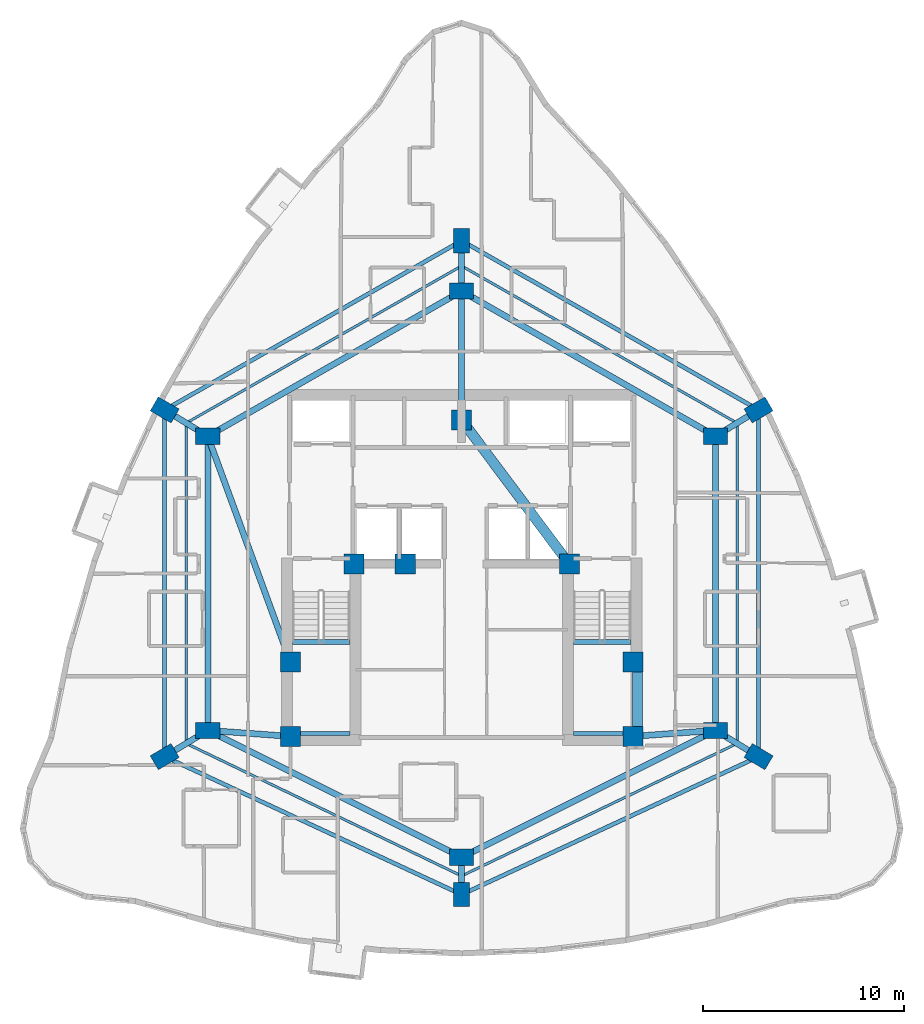
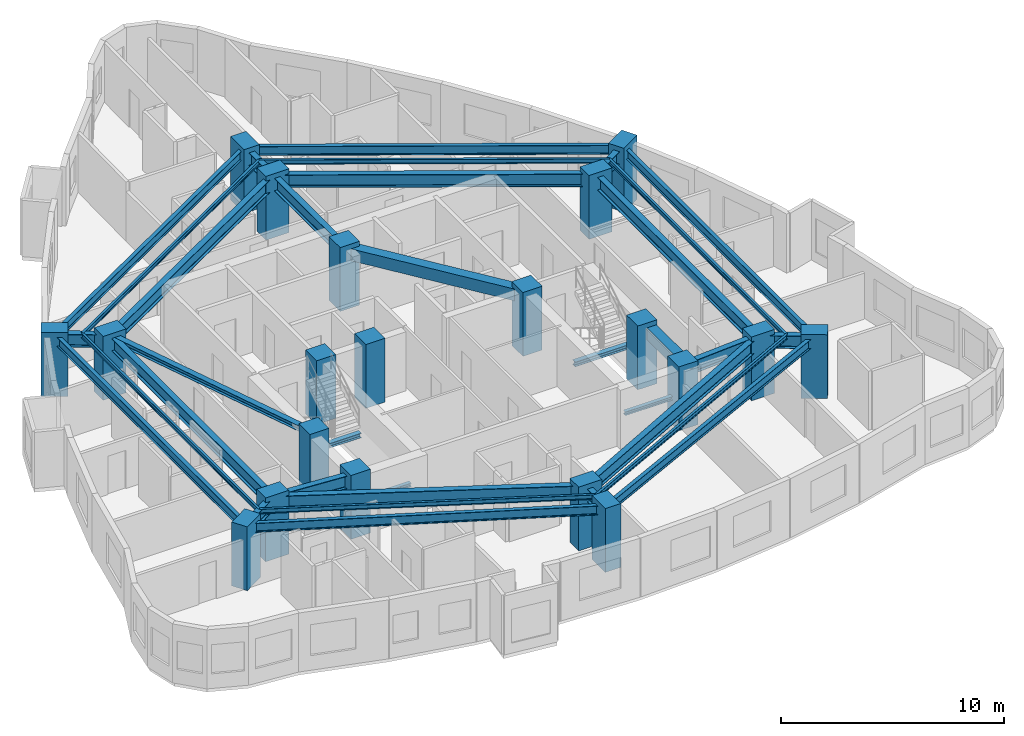
# One storey, part 1 of 14: 34 beams, 20 columns.
"""IFC4 building model written with IfcOpenShell, lengths in metres."""

from ifc_helpers import new_model, si_unit, direction, frame, origin, origin_2d, place, context, subcontext, project, spatial, rectangle, i_section, extrude, material, material_profile, profile_set, type_object, element, save


model = new_model("IFC4")

# Units and contexts
model_context = context("Model", 3, precision=1e-05, world=origin(), true_north=direction((0.0, 1.0)))
body_context = subcontext(model_context, "Body", "Model", "MODEL_VIEW")
ifc_project = project(units=[si_unit("LENGTHUNIT", "METRE"), si_unit("AREAUNIT", "SQUARE_METRE"), si_unit("VOLUMEUNIT", "CUBIC_METRE"), si_unit("PLANEANGLEUNIT", "RADIAN"), si_unit("MASSUNIT", "GRAM", prefix="KILO")], contexts=[model_context])

# Site, building, storey
site_placement = place(None, origin())
site = spatial("IfcSite", under=ifc_project, at=site_placement, CompositionType="ELEMENT")
building_placement = place(site_placement, origin())
building = spatial("IfcBuilding", under=site, at=building_placement, Name="Miruveldt Soraemaru", CompositionType="ELEMENT")
storey_placement = place(building_placement, frame((0.0, 0.0, 131.89990234375)))
storey = spatial("IfcBuildingStorey", under=building, at=storey_placement, Name="L36", CompositionType="ELEMENT", Elevation=131.89990234375)

# Columns
ifc_material_1 = material(Name="Concrete C60/75 (60 MPa)", Category="concrete")
ifc_material_profile_1 = material_profile(ifc_material_1, rectangle(XDim=1.0, YDim=1.0, at=origin_2d()), Name="Concrete C60/75 (60 MPa)", Category="concrete")
ifc_profile_set_1 = profile_set([ifc_material_profile_1], Name="Concrete C60/75 (60 MPa)")
column_type_1 = type_object("IfcColumnType", Name="COL-CORE-1000", PredefinedType="COLUMN", material=ifc_profile_set_1)
for number, where, z_axis, x_axis, name in (
    (1, (35.5, 35.5, 0.0), (0.0, 0.0, 1.0), (1.0, 0.0, 0.0), "L36 Structural Column CC1"),
    (2, (38.64990234375, 44.050048828125, 0.0), (0.0, 0.0, 1.0), (1.0, 0.0, 0.0), "L36 Structural Column CC2"),
    (3, (52.5, 35.5, 0.0), (0.0, 0.0, 1.0), (1.0, 0.0, 0.0), "L36 Structural Column CC3"),
    (4, (52.5, 39.199951171875, 0.0), (0.0, 0.0, 1.0), (1.0, 0.0, 0.0), "L36 Structural Column CC4"),
    (5, (49.35009765625, 44.050048828125, 0.0), (0.0, 0.0, 1.0), (1.0, 0.0, 0.0), "L36 Structural Column CC5"),
    (6, (44.0, 51.199951171875, 0.0), (0.0, 0.0, 1.0), (1.0, 0.0, 0.0), "L36 Structural Column CC6"),
    (7, (35.5, 39.199951171875, 0.0), (0.0, 0.0, 1.0), (1.0, 0.0, 0.0), "L36 Structural Column CC7"),
    (8, (41.199951171875, 44.050048828125, 0.0), (0.0, 0.0, 1.0), (1.0, 0.0, 0.0), "L36 Structural Column CC8"),
):
    element("IfcColumn", number, at=place(storey_placement, frame(where, z_axis=z_axis, x_axis=x_axis)), inside=storey, type_object=column_type_1, Name=name, PredefinedType="COLUMN", context=body_context, shape_type="SweptSolid", body=[
        extrude(rectangle(XDim=1.0, YDim=1.0, at=origin_2d()), origin(), (0.0, 0.0, 1.0), 3.5),
    ])
ifc_material_2 = material(Name="Concrete C70/85 (70 MPa)", Category="concrete")
ifc_material_profile_2 = material_profile(ifc_material_2, rectangle(XDim=1.199951171875, YDim=0.800048828125, at=origin_2d()), Name="Concrete C70/85 (70 MPa)", Category="concrete")
ifc_profile_set_2 = profile_set([ifc_material_profile_2], Name="Concrete C70/85 (70 MPa)")
column_type_2 = type_object("IfcColumnType", Name="COL-TW-Z2", PredefinedType="COLUMN", material=ifc_profile_set_2)
for number, where, z_axis, x_axis, name in (
    (9, (44.0, 57.60009765625, 0.0), (0.0, 0.0, 1.0), (1.0, 0.0, 0.0), "L36 Structural Column IR01"),
    (10, (56.60009765625, 50.39990234375, 0.0), (0.0, 0.0, 1.0), (1.0, 0.0, 0.0), "L36 Structural Column IR02"),
    (11, (56.60009765625, 35.800048828125, 0.0), (0.0, 0.0, 1.0), (1.0, 0.0, 0.0), "L36 Structural Column IR03"),
    (12, (44.0, 29.5, 0.0), (0.0, 0.0, 1.0), (1.0, 0.0, 0.0), "L36 Structural Column IR04"),
    (13, (31.39990234375, 35.800048828125, 0.0), (0.0, 0.0, 1.0), (1.0, 0.0, 0.0), "L36 Structural Column IR05"),
    (14, (31.39990234375, 50.39990234375, 0.0), (0.0, 0.0, 1.0), (1.0, 0.0, 0.0), "L36 Structural Column IR06"),
    (15, (44.0, 60.10595703125, 0.0), (0.0, 0.0, 1.0), (0.0, 1.0, 0.0), "L36 Structural Column Z2P01"),
    (16, (58.739990234375, 51.705078125, 0.0), (0.0, 0.0, 1.0), (0.866025403784, 0.5, 0.0), "L36 Structural Column Z2P02"),
    (17, (58.739990234375, 34.4951171875, 0.0), (0.0, 0.0, 1.0), (-0.860742027004, 0.50904141575, 0.0), "L36 Structural Column Z2P03"),
    (18, (44.0, 27.64697265625, 0.0), (0.0, 0.0, 1.0), (0.0, 1.0, 0.0), "L36 Structural Column Z2P04"),
    (19, (29.260009765625, 34.4951171875, 0.0), (0.0, 0.0, 1.0), (0.860742027004, 0.50904141575, 0.0), "L36 Structural Column Z2P05"),
    (20, (29.260009765625, 51.705078125, 0.0), (0.0, 0.0, 1.0), (-0.866025403784, 0.5, 0.0), "L36 Structural Column Z2P06"),
):
    element("IfcColumn", number, at=place(storey_placement, frame(where, z_axis=z_axis, x_axis=x_axis)), inside=storey, type_object=column_type_2, Name=name, PredefinedType="COLUMN", context=body_context, shape_type="SweptSolid", body=[
        extrude(rectangle(XDim=1.199951171875, YDim=0.800048828125, at=origin_2d()), origin(), (0.0, 0.0, 1.0), 3.5),
    ])

# Beams
ifc_material_3 = material(Name="Steel SM355 (355 MPa)", Category="steel")
ifc_material_profile_3 = material_profile(ifc_material_3, i_section(OverallWidth=0.300048828125, OverallDepth=0.300048828125, WebThickness=0.010009765625, FlangeThickness=0.014892578125, FilletRadius=0.01806640625, at=origin_2d()), Name="Steel SM355 (355 MPa)", Category="steel")
ifc_profile_set_3 = profile_set([ifc_material_profile_3], Name="Steel SM355 (355 MPa)")
beam_type_1 = type_object("IfcBeamType", Name="BM-LNT-H300", PredefinedType="LINTEL", material=ifc_profile_set_3)
beam_1_placement = place(storey_placement, frame((31.39990234375, 50.39990234375, 3.085205078125), z_axis=(0.343770424598, -0.939053723262, 0.0), x_axis=(0.939053723262, 0.343770424598, 0.0)))
element("IfcBeam", 21, at=beam_1_placement, inside=storey, type_object=beam_type_1, Name="L36 West Lobby Lintel", PredefinedType="LINTEL", context=body_context, shape_type="SweptSolid", body=[
    extrude(i_section(OverallWidth=0.300048828125, OverallDepth=0.300048828125, WebThickness=0.010009765625, FlangeThickness=0.014892578125, FilletRadius=0.01806640625, at=origin_2d()), origin(), (0.0, 0.0, 1.0), 11.9267578125),
])
ifc_material_4 = material(Name="Concrete C50/60 (50 MPa)", Category="concrete")
ifc_material_profile_4 = material_profile(ifc_material_4, rectangle(XDim=0.5, YDim=0.64990234375, at=origin_2d()), Name="Concrete C50/60 (50 MPa)", Category="concrete")
ifc_profile_set_4 = profile_set([ifc_material_profile_4], Name="Concrete C50/60 (50 MPa)")
beam_type_2 = type_object("IfcBeamType", Name="BM-RC-500x650", PredefinedType="BEAM", material=ifc_profile_set_4)
beam_2_placement = place(storey_placement, frame((52.72998046875, 35.5, 2.91015625), z_axis=(0.0, 1.0, 0.0), x_axis=(-1.0, 0.0, 0.0)))
element("IfcBeam", 22, at=beam_2_placement, inside=storey, type_object=beam_type_2, Name="L36 Core Tie Beam 3", PredefinedType="BEAM", context=body_context, shape_type="SweptSolid", body=[
    extrude(rectangle(XDim=0.5, YDim=0.64990234375, at=origin_2d()), origin(), (0.0, 0.0, 1.0), 3.699951171875),
])
beam_3_placement = place(storey_placement, frame((49.35009765625, 44.050048828125, 2.91015625), z_axis=(-0.599116023999, 0.800662219533, 0.0), x_axis=(-0.800662219533, -0.599116023999, 0.0)))
element("IfcBeam", 23, at=beam_3_placement, inside=storey, type_object=beam_type_2, Name="L36 Core Tie Beam 5", PredefinedType="BEAM", context=body_context, shape_type="SweptSolid", body=[
    extrude(rectangle(XDim=0.5, YDim=0.64990234375, at=origin_2d()), origin(), (0.0, 0.0, 1.0), 8.929931640625),
])
ifc_material_profile_5 = material_profile(ifc_material_3, i_section(OverallWidth=0.125, OverallDepth=0.25, WebThickness=0.006103515625, FlangeThickness=0.009033203125, FilletRadius=0.011962890625, at=origin_2d()), Name="Steel SM355 (355 MPa)", Category="steel")
ifc_profile_set_5 = profile_set([ifc_material_profile_5], Name="Steel SM355 (355 MPa)")
beam_type_3 = type_object("IfcBeamType", Name="BM-ST-H250", PredefinedType="JOIST", material=ifc_profile_set_5)
beam_4_placement = place(storey_placement, frame((44.0, 58.85302734375, 3.110107421875), z_axis=(0.868539859756, -0.495619321672, 0.0), x_axis=(0.495619321672, 0.868539859756, 0.0)))
element("IfcBeam", 24, at=beam_4_placement, inside=storey, type_object=beam_type_3, Name="L36 Outer Bay Floor Joist 1", PredefinedType="JOIST", context=body_context, shape_type="SweptSolid", body=[
    extrude(i_section(OverallWidth=0.125, OverallDepth=0.25, WebThickness=0.006103515625, FlangeThickness=0.009033203125, FilletRadius=0.011962890625, at=origin_2d()), origin(), (0.0, 0.0, 1.0), 15.739013671875),
])
beam_5_placement = place(storey_placement, frame((57.669921875, 51.052490234375, 3.110107421875), z_axis=(0.0, -1.0, 0.0), x_axis=(1.0, 0.0, 0.0)))
element("IfcBeam", 25, at=beam_5_placement, inside=storey, type_object=beam_type_3, Name="L36 Outer Bay Floor Joist 2", PredefinedType="JOIST", context=body_context, shape_type="SweptSolid", body=[
    extrude(i_section(OverallWidth=0.125, OverallDepth=0.25, WebThickness=0.006103515625, FlangeThickness=0.009033203125, FilletRadius=0.011962890625, at=origin_2d()), origin(), (0.0, 0.0, 1.0), 15.905029296875),
])
for number, where, z_axis, x_axis, name in (
    (26, (57.669921875, 35.1474609375, 3.110107421875), (-0.901203586802, -0.433396002676, 0.0), (0.433396002676, -0.901203586802, 0.0), "L36 Outer Bay Floor Joist 3"),
    (27, (44.0, 28.573486328125, 3.110107421875), (-0.901203586802, 0.433396002676, 0.0), (-0.433396002676, -0.901203586802, 0.0), "L36 Outer Bay Floor Joist 4"),
):
    element("IfcBeam", number, at=place(storey_placement, frame(where, z_axis=z_axis, x_axis=x_axis)), inside=storey, type_object=beam_type_3, Name=name, PredefinedType="JOIST", context=body_context, shape_type="SweptSolid", body=[
        extrude(i_section(OverallWidth=0.125, OverallDepth=0.25, WebThickness=0.006103515625, FlangeThickness=0.009033203125, FilletRadius=0.011962890625, at=origin_2d()), origin(), (0.0, 0.0, 1.0), 15.16845703125),
    ])
beam_6_placement = place(storey_placement, frame((30.330078125, 35.1474609375, 3.110107421875), z_axis=(0.0, 1.0, 0.0), x_axis=(-1.0, 0.0, 0.0)))
element("IfcBeam", 28, at=beam_6_placement, inside=storey, type_object=beam_type_3, Name="L36 Outer Bay Floor Joist 5", PredefinedType="JOIST", context=body_context, shape_type="SweptSolid", body=[
    extrude(i_section(OverallWidth=0.125, OverallDepth=0.25, WebThickness=0.006103515625, FlangeThickness=0.009033203125, FilletRadius=0.011962890625, at=origin_2d()), origin(), (0.0, 0.0, 1.0), 15.905029296875),
])
beam_7_placement = place(storey_placement, frame((30.330078125, 51.052490234375, 3.110107421875), z_axis=(0.868539859756, 0.495619321672, 0.0), x_axis=(-0.495619321672, 0.868539859756, 0.0)))
element("IfcBeam", 29, at=beam_7_placement, inside=storey, type_object=beam_type_3, Name="L36 Outer Bay Floor Joist 6", PredefinedType="JOIST", context=body_context, shape_type="SweptSolid", body=[
    extrude(i_section(OverallWidth=0.125, OverallDepth=0.25, WebThickness=0.006103515625, FlangeThickness=0.009033203125, FilletRadius=0.011962890625, at=origin_2d()), origin(), (0.0, 0.0, 1.0), 15.739013671875),
])
ifc_material_profile_6 = material_profile(ifc_material_3, i_section(OverallWidth=0.199951171875, OverallDepth=0.5, WebThickness=0.010009765625, FlangeThickness=0.01611328125, FilletRadius=0.02001953125, at=origin_2d()), Name="Steel SM355 (355 MPa)", Category="steel")
ifc_profile_set_6 = profile_set([ifc_material_profile_6], Name="Steel SM355 (355 MPa)")
beam_type_4 = type_object("IfcBeamType", Name="BM-ST-H500", PredefinedType="SPANDREL", material=ifc_profile_set_6)
beam_8_placement = place(storey_placement, frame((44.0, 60.10595703125, 2.985107421875), z_axis=(0.86880048516, -0.495162313778, 0.0), x_axis=(0.495162313778, 0.86880048516, 0.0)))
element("IfcBeam", 30, at=beam_8_placement, inside=storey, type_object=beam_type_4, Name="L36 Zone-2 Spandrel Beam 1", PredefinedType="SPANDREL", context=body_context, shape_type="SweptSolid", body=[
    extrude(i_section(OverallWidth=0.199951171875, OverallDepth=0.5, WebThickness=0.010009765625, FlangeThickness=0.01611328125, FilletRadius=0.02001953125, at=origin_2d()), origin(), (0.0, 0.0, 1.0), 16.9658203125),
])
beam_9_placement = place(storey_placement, frame((58.739990234375, 51.705078125, 2.985107421875), z_axis=(0.0, -1.0, 0.0), x_axis=(1.0, 0.0, 0.0)))
element("IfcBeam", 31, at=beam_9_placement, inside=storey, type_object=beam_type_4, Name="L36 Zone-2 Spandrel Beam 2", PredefinedType="SPANDREL", context=body_context, shape_type="SweptSolid", body=[
    extrude(i_section(OverallWidth=0.199951171875, OverallDepth=0.5, WebThickness=0.010009765625, FlangeThickness=0.01611328125, FilletRadius=0.02001953125, at=origin_2d()), origin(), (0.0, 0.0, 1.0), 17.2099609375),
])
for number, where, z_axis, x_axis, name in (
    (32, (58.739990234375, 34.4951171875, 2.985107421875), (-0.906901362829, -0.421342993414, 0.0), (0.421342993414, -0.906901362829, 0.0), "L36 Zone-2 Spandrel Beam 3"),
    (33, (44.0, 27.64697265625, 2.985107421875), (-0.906901362829, 0.421342993414, 0.0), (-0.421342993414, -0.906901362829, 0.0), "L36 Zone-2 Spandrel Beam 4"),
):
    element("IfcBeam", number, at=place(storey_placement, frame(where, z_axis=z_axis, x_axis=x_axis)), inside=storey, type_object=beam_type_4, Name=name, PredefinedType="SPANDREL", context=body_context, shape_type="SweptSolid", body=[
        extrude(i_section(OverallWidth=0.199951171875, OverallDepth=0.5, WebThickness=0.010009765625, FlangeThickness=0.01611328125, FilletRadius=0.02001953125, at=origin_2d()), origin(), (0.0, 0.0, 1.0), 16.253173828125),
    ])
beam_10_placement = place(storey_placement, frame((29.260009765625, 34.4951171875, 2.985107421875), z_axis=(0.0, 1.0, 0.0), x_axis=(-1.0, 0.0, 0.0)))
element("IfcBeam", 34, at=beam_10_placement, inside=storey, type_object=beam_type_4, Name="L36 Zone-2 Spandrel Beam 5", PredefinedType="SPANDREL", context=body_context, shape_type="SweptSolid", body=[
    extrude(i_section(OverallWidth=0.199951171875, OverallDepth=0.5, WebThickness=0.010009765625, FlangeThickness=0.01611328125, FilletRadius=0.02001953125, at=origin_2d()), origin(), (0.0, 0.0, 1.0), 17.2099609375),
])
beam_11_placement = place(storey_placement, frame((29.260009765625, 51.705078125, 2.985107421875), z_axis=(0.86880048516, 0.495162313778, 0.0), x_axis=(-0.495162313778, 0.86880048516, 0.0)))
element("IfcBeam", 35, at=beam_11_placement, inside=storey, type_object=beam_type_4, Name="L36 Zone-2 Spandrel Beam 6", PredefinedType="SPANDREL", context=body_context, shape_type="SweptSolid", body=[
    extrude(i_section(OverallWidth=0.199951171875, OverallDepth=0.5, WebThickness=0.010009765625, FlangeThickness=0.01611328125, FilletRadius=0.02001953125, at=origin_2d()), origin(), (0.0, 0.0, 1.0), 16.9658203125),
])
ifc_material_profile_7 = material_profile(ifc_material_3, i_section(OverallWidth=0.300048828125, OverallDepth=0.699951171875, WebThickness=0.012939453125, FlangeThickness=0.02392578125, FilletRadius=0.028076171875, at=origin_2d()), Name="Steel SM355 (355 MPa)", Category="steel")
ifc_profile_set_7 = profile_set([ifc_material_profile_7], Name="Steel SM355 (355 MPa)")
beam_type_5 = type_object("IfcBeamType", Name="BM-ST-H700", PredefinedType="BEAM", material=ifc_profile_set_7)
beam_12_placement = place(storey_placement, frame((44.0, 57.60009765625, 2.885009765625), z_axis=(0.868239001029, -0.496146185203, 0.0), x_axis=(0.496146185203, 0.868239001029, 0.0)))
element("IfcBeam", 36, at=beam_12_placement, inside=storey, type_object=beam_type_5, Name="L36 Inner Ring Girder 1", PredefinedType="BEAM", context=body_context, shape_type="SweptSolid", body=[
    extrude(i_section(OverallWidth=0.300048828125, OverallDepth=0.699951171875, WebThickness=0.012939453125, FlangeThickness=0.02392578125, FilletRadius=0.028076171875, at=origin_2d()), origin(), (0.0, 0.0, 1.0), 14.51220703125),
])
beam_13_placement = place(storey_placement, frame((44.0, 51.199951171875, 2.885009765625), z_axis=(0.0, 1.0, 0.0), x_axis=(-1.0, 0.0, 0.0)))
element("IfcBeam", 37, at=beam_13_placement, inside=storey, type_object=beam_type_5, Name="L36 Core-to-Inner Radial Girder 1", PredefinedType="BEAM", context=body_context, shape_type="SweptSolid", body=[
    extrude(i_section(OverallWidth=0.300048828125, OverallDepth=0.699951171875, WebThickness=0.012939453125, FlangeThickness=0.02392578125, FilletRadius=0.028076171875, at=origin_2d()), origin(), (0.0, 0.0, 1.0), 6.400146484375),
])
beam_14_placement = place(storey_placement, frame((56.60009765625, 50.39990234375, 2.885009765625), z_axis=(0.0, -1.0, 0.0), x_axis=(1.0, 0.0, 0.0)))
element("IfcBeam", 38, at=beam_14_placement, inside=storey, type_object=beam_type_5, Name="L36 Inner Ring Girder 2", PredefinedType="BEAM", context=body_context, shape_type="SweptSolid", body=[
    extrude(i_section(OverallWidth=0.300048828125, OverallDepth=0.699951171875, WebThickness=0.012939453125, FlangeThickness=0.02392578125, FilletRadius=0.028076171875, at=origin_2d()), origin(), (0.0, 0.0, 1.0), 14.599853515625),
])
beam_15_placement = place(storey_placement, frame((56.60009765625, 35.800048828125, 2.885009765625), z_axis=(-0.894427191, -0.4472135955, 0.0), x_axis=(0.4472135955, -0.894427191, 0.0)))
element("IfcBeam", 39, at=beam_15_placement, inside=storey, type_object=beam_type_5, Name="L36 Inner Ring Girder 3", PredefinedType="BEAM", context=body_context, shape_type="SweptSolid", body=[
    extrude(i_section(OverallWidth=0.300048828125, OverallDepth=0.699951171875, WebThickness=0.012939453125, FlangeThickness=0.02392578125, FilletRadius=0.028076171875, at=origin_2d()), origin(), (0.0, 0.0, 1.0), 14.08740234375),
])
beam_16_placement = place(storey_placement, frame((52.5, 35.5, 2.885009765625), z_axis=(0.997332985605, 0.072985723431, 0.0), x_axis=(-0.072985723431, 0.997332985605, 0.0)))
element("IfcBeam", 40, at=beam_16_placement, inside=storey, type_object=beam_type_5, Name="L36 Core-to-Inner Radial Girder 3", PredefinedType="BEAM", context=body_context, shape_type="SweptSolid", body=[
    extrude(i_section(OverallWidth=0.300048828125, OverallDepth=0.699951171875, WebThickness=0.012939453125, FlangeThickness=0.02392578125, FilletRadius=0.028076171875, at=origin_2d()), origin(), (0.0, 0.0, 1.0), 4.111083984375),
])
beam_17_placement = place(storey_placement, frame((44.0, 29.5, 2.885009765625), z_axis=(-0.894427191, 0.4472135955, 0.0), x_axis=(-0.4472135955, -0.894427191, 0.0)))
element("IfcBeam", 41, at=beam_17_placement, inside=storey, type_object=beam_type_5, Name="L36 Inner Ring Girder 4", PredefinedType="BEAM", context=body_context, shape_type="SweptSolid", body=[
    extrude(i_section(OverallWidth=0.300048828125, OverallDepth=0.699951171875, WebThickness=0.012939453125, FlangeThickness=0.02392578125, FilletRadius=0.028076171875, at=origin_2d()), origin(), (0.0, 0.0, 1.0), 14.08740234375),
])
beam_18_placement = place(storey_placement, frame((31.39990234375, 35.800048828125, 2.885009765625), z_axis=(0.0, 1.0, 0.0), x_axis=(-1.0, 0.0, 0.0)))
element("IfcBeam", 42, at=beam_18_placement, inside=storey, type_object=beam_type_5, Name="L36 Inner Ring Girder 5", PredefinedType="BEAM", context=body_context, shape_type="SweptSolid", body=[
    extrude(i_section(OverallWidth=0.300048828125, OverallDepth=0.699951171875, WebThickness=0.012939453125, FlangeThickness=0.02392578125, FilletRadius=0.028076171875, at=origin_2d()), origin(), (0.0, 0.0, 1.0), 14.599853515625),
])
beam_19_placement = place(storey_placement, frame((35.5, 35.5, 2.885009765625), z_axis=(-0.997332985605, 0.072985723431, 0.0), x_axis=(-0.072985723431, -0.997332985605, 0.0)))
element("IfcBeam", 43, at=beam_19_placement, inside=storey, type_object=beam_type_5, Name="L36 Core-to-Inner Radial Girder 5", PredefinedType="BEAM", context=body_context, shape_type="SweptSolid", body=[
    extrude(i_section(OverallWidth=0.300048828125, OverallDepth=0.699951171875, WebThickness=0.012939453125, FlangeThickness=0.02392578125, FilletRadius=0.028076171875, at=origin_2d()), origin(), (0.0, 0.0, 1.0), 4.111083984375),
])
beam_20_placement = place(storey_placement, frame((31.39990234375, 50.39990234375, 2.885009765625), z_axis=(0.868239001029, 0.496146185203, 0.0), x_axis=(-0.496146185203, 0.868239001029, 0.0)))
element("IfcBeam", 44, at=beam_20_placement, inside=storey, type_object=beam_type_5, Name="L36 Inner Ring Girder 6", PredefinedType="BEAM", context=body_context, shape_type="SweptSolid", body=[
    extrude(i_section(OverallWidth=0.300048828125, OverallDepth=0.699951171875, WebThickness=0.012939453125, FlangeThickness=0.02392578125, FilletRadius=0.028076171875, at=origin_2d()), origin(), (0.0, 0.0, 1.0), 14.51220703125),
])
beam_21_placement = place(storey_placement, frame((44.0, 57.60009765625, 2.885009765625), z_axis=(0.0, 1.0, 0.0), x_axis=(-1.0, 0.0, 0.0)))
element("IfcBeam", 45, at=beam_21_placement, inside=storey, type_object=beam_type_5, Name="L36 Zone-2 Radial Girder 1", PredefinedType="BEAM", context=body_context, shape_type="SweptSolid", body=[
    extrude(i_section(OverallWidth=0.300048828125, OverallDepth=0.699951171875, WebThickness=0.012939453125, FlangeThickness=0.02392578125, FilletRadius=0.028076171875, at=origin_2d()), origin(), (0.0, 0.0, 1.0), 2.505859375),
])
beam_22_placement = place(storey_placement, frame((56.60009765625, 50.39990234375, 2.885009765625), z_axis=(0.85373175529, 0.520713059188, 0.0), x_axis=(-0.520713059188, 0.85373175529, 0.0)))
element("IfcBeam", 46, at=beam_22_placement, inside=storey, type_object=beam_type_5, Name="L36 Zone-2 Radial Girder 2", PredefinedType="BEAM", context=body_context, shape_type="SweptSolid", body=[
    extrude(i_section(OverallWidth=0.300048828125, OverallDepth=0.699951171875, WebThickness=0.012939453125, FlangeThickness=0.02392578125, FilletRadius=0.028076171875, at=origin_2d()), origin(), (0.0, 0.0, 1.0), 2.506591796875),
])
beam_23_placement = place(storey_placement, frame((56.60009765625, 35.800048828125, 2.885009765625), z_axis=(0.853775054686, -0.5206420613, 0.0), x_axis=(0.5206420613, 0.853775054686, 0.0)))
element("IfcBeam", 47, at=beam_23_placement, inside=storey, type_object=beam_type_5, Name="L36 Zone-2 Radial Girder 3", PredefinedType="BEAM", context=body_context, shape_type="SweptSolid", body=[
    extrude(i_section(OverallWidth=0.300048828125, OverallDepth=0.699951171875, WebThickness=0.012939453125, FlangeThickness=0.02392578125, FilletRadius=0.028076171875, at=origin_2d()), origin(), (0.0, 0.0, 1.0), 2.50634765625),
])
beam_24_placement = place(storey_placement, frame((44.0, 29.5, 2.885009765625), z_axis=(0.0, -1.0, 0.0), x_axis=(1.0, 0.0, 0.0)))
element("IfcBeam", 48, at=beam_24_placement, inside=storey, type_object=beam_type_5, Name="L36 Zone-2 Radial Girder 4", PredefinedType="BEAM", context=body_context, shape_type="SweptSolid", body=[
    extrude(i_section(OverallWidth=0.300048828125, OverallDepth=0.699951171875, WebThickness=0.012939453125, FlangeThickness=0.02392578125, FilletRadius=0.028076171875, at=origin_2d()), origin(), (0.0, 0.0, 1.0), 1.85302734375),
])
beam_25_placement = place(storey_placement, frame((31.39990234375, 35.800048828125, 2.885009765625), z_axis=(-0.853775054686, -0.5206420613, 0.0), x_axis=(0.5206420613, -0.853775054686, 0.0)))
element("IfcBeam", 49, at=beam_25_placement, inside=storey, type_object=beam_type_5, Name="L36 Zone-2 Radial Girder 5", PredefinedType="BEAM", context=body_context, shape_type="SweptSolid", body=[
    extrude(i_section(OverallWidth=0.300048828125, OverallDepth=0.699951171875, WebThickness=0.012939453125, FlangeThickness=0.02392578125, FilletRadius=0.028076171875, at=origin_2d()), origin(), (0.0, 0.0, 1.0), 2.50634765625),
])
beam_26_placement = place(storey_placement, frame((31.39990234375, 50.39990234375, 2.885009765625), z_axis=(-0.85373175529, 0.520713059188, 0.0), x_axis=(-0.520713059188, -0.85373175529, 0.0)))
element("IfcBeam", 50, at=beam_26_placement, inside=storey, type_object=beam_type_5, Name="L36 Zone-2 Radial Girder 6", PredefinedType="BEAM", context=body_context, shape_type="SweptSolid", body=[
    extrude(i_section(OverallWidth=0.300048828125, OverallDepth=0.699951171875, WebThickness=0.012939453125, FlangeThickness=0.02392578125, FilletRadius=0.028076171875, at=origin_2d()), origin(), (0.0, 0.0, 1.0), 2.506591796875),
])
ifc_material_profile_8 = material_profile(ifc_material_3, i_section(OverallWidth=0.199951171875, OverallDepth=0.199951171875, WebThickness=0.008056640625, FlangeThickness=0.011962890625, FilletRadius=0.012939453125, at=origin_2d()), Name="Steel SM355 (355 MPa)", Category="steel")
ifc_profile_set_8 = profile_set([ifc_material_profile_8], Name="Steel SM355 (355 MPa)")
beam_type_6 = type_object("IfcBeamType", Name="BM-ST-LND200", PredefinedType="BEAM", material=ifc_profile_set_8)
for number, where, z_axis, x_axis, name in (
    (51, (35.60009765625, 35.64990234375, 1.4501953125), (1.0, 0.0, 0.0), (0.0, 1.0, 0.0), "L36 ST1 Landing End Beam 1B"),
    (52, (49.550048828125, 35.64990234375, 1.4501953125), (1.0, 0.0, 0.0), (0.0, 1.0, 0.0), "L36 ST2 Landing End Beam 1B"),
):
    element("IfcBeam", number, at=place(storey_placement, frame(where, z_axis=z_axis, x_axis=x_axis)), inside=storey, type_object=beam_type_6, Name=name, PredefinedType="BEAM", context=body_context, shape_type="SweptSolid", body=[
        extrude(i_section(OverallWidth=0.199951171875, OverallDepth=0.199951171875, WebThickness=0.008056640625, FlangeThickness=0.011962890625, FilletRadius=0.012939453125, at=origin_2d()), origin(), (0.0, 0.0, 1.0), 2.849853515625),
    ])
ifc_material_profile_9 = material_profile(ifc_material_3, i_section(OverallWidth=0.25, OverallDepth=0.25, WebThickness=0.009033203125, FlangeThickness=0.013916015625, FilletRadius=0.01611328125, at=origin_2d()), Name="Steel SM355 (355 MPa)", Category="steel")
ifc_profile_set_9 = profile_set([ifc_material_profile_9], Name="Steel SM355 (355 MPa)")
beam_type_7 = type_object("IfcBeamType", Name="BM-ST-LND250", PredefinedType="BEAM", material=ifc_profile_set_9)
for number, where, z_axis, x_axis, name in (
    (53, (35.60009765625, 40.179931640625, 1.425048828125), (1.0, 0.0, 0.0), (0.0, 1.0, 0.0), "L36 ST1 Landing Support Beam 1A"),
    (54, (49.550048828125, 40.179931640625, 1.425048828125), (1.0, 0.0, 0.0), (0.0, 1.0, 0.0), "L36 ST2 Landing Support Beam 1A"),
):
    element("IfcBeam", number, at=place(storey_placement, frame(where, z_axis=z_axis, x_axis=x_axis)), inside=storey, type_object=beam_type_7, Name=name, PredefinedType="BEAM", context=body_context, shape_type="SweptSolid", body=[
        extrude(i_section(OverallWidth=0.25, OverallDepth=0.25, WebThickness=0.009033203125, FlangeThickness=0.013916015625, FilletRadius=0.01611328125, at=origin_2d()), origin(), (0.0, 0.0, 1.0), 2.849853515625),
    ])

save(model, "model.ifc")
